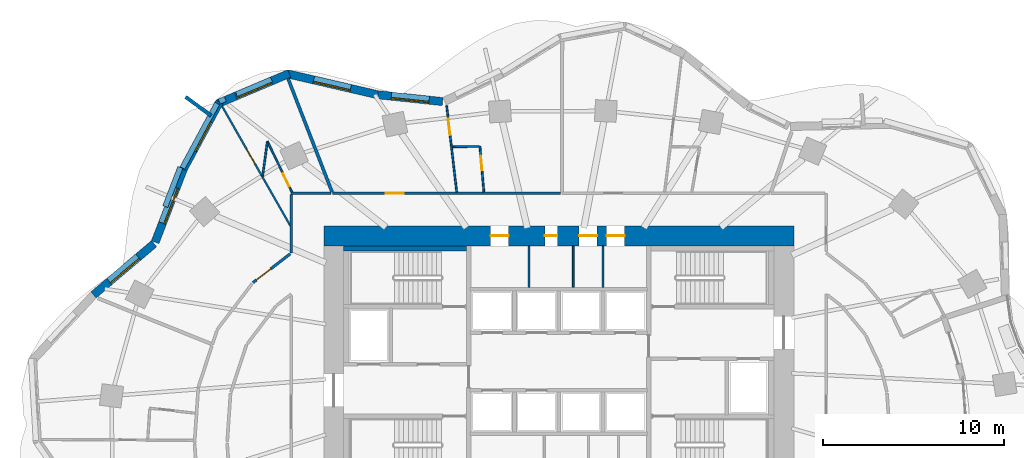
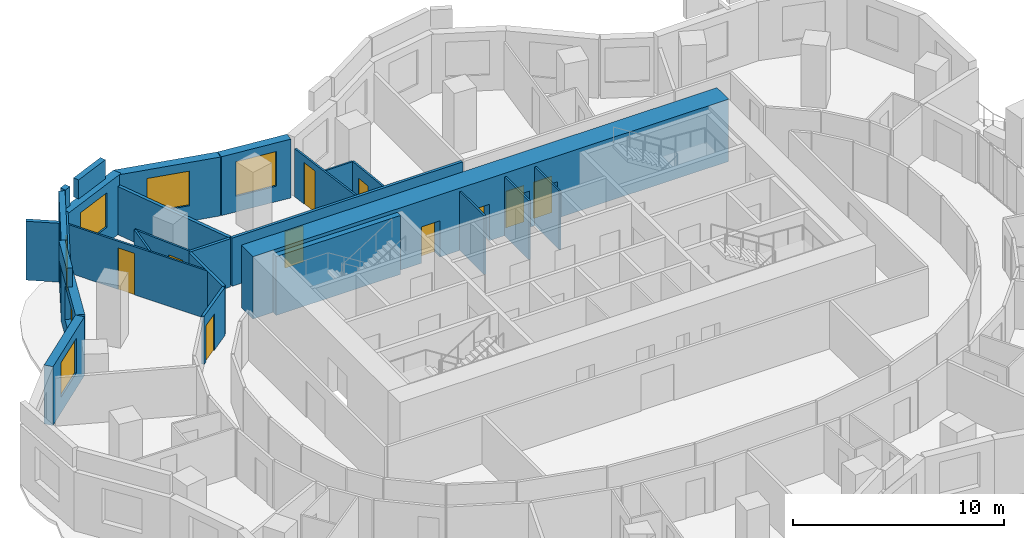
# One storey, part 9 of 13: 27 walls, 10 doors, 6 windows, 16 openings.
"""IFC4 building model written with IfcOpenShell, lengths in metres."""

from ifc_helpers import new_model, si_unit, direction, frame, frame_2d, origin, place, context, subcontext, project, spatial, rectangle, extrude, material, layer, layer_set, type_object, element, fill, save


model = new_model("IFC4")

# Units and contexts
model_context = context("Model", 3, precision=1e-05, world=origin(), true_north=direction((0.0, 1.0)))
body_context = subcontext(model_context, "Body", "Model", "MODEL_VIEW")
ifc_project = project(units=[si_unit("LENGTHUNIT", "METRE"), si_unit("AREAUNIT", "SQUARE_METRE"), si_unit("VOLUMEUNIT", "CUBIC_METRE"), si_unit("PLANEANGLEUNIT", "RADIAN"), si_unit("MASSUNIT", "GRAM", prefix="KILO")], contexts=[model_context])

# Site, building, storey
site_placement = place(None, origin())
site = spatial("IfcSite", under=ifc_project, at=site_placement, CompositionType="ELEMENT")
building_placement = place(site_placement, origin())
building = spatial("IfcBuilding", under=site, at=building_placement, Name="Rubra Terraces Tower", CompositionType="ELEMENT")
storey_placement = place(building_placement, frame((0.0, 0.0, 85.199951171875)))
storey = spatial("IfcBuildingStorey", under=building, at=storey_placement, Name="L19", CompositionType="ELEMENT", Elevation=85.199951171875)

# Wall
ifc_material_1 = material(Name="Twin plasterboard on staggered steel stud, acoustic mineral wool", Category="steel")
ifc_layer_1 = layer(ifc_material_1, 0.175048828125)
ifc_layer_set_1 = layer_set([ifc_layer_1], Name="Twin plasterboard on staggered steel stud, acoustic mineral wool")
wall_type_1 = type_object("IfcWallType", Name="ACOUSTIC PARTY WALL 175", PredefinedType="PARTITIONING", material=ifc_layer_set_1)
wall_1_placement = place(storey_placement, frame((-14.975830078125, 20.15283203125, 0.0), z_axis=(0.0, 0.0, 1.0), x_axis=(0.361720652029, -0.932286527788, 0.0)))
element("IfcWall", 1, at=wall_1_placement, inside=storey, type_object=wall_type_1, Name="PARTITION", PredefinedType="PARTITIONING", context=body_context, shape_type="SweptSolid", body=[
    extrude(rectangle(XDim=6.7392578125, YDim=0.175048828125, at=frame_2d((3.36962890625, 0.0))), origin(), (0.0, 0.0, 1.0), 2.783935546875),
])

# Wall, opening, window
ifc_material_2 = material(Name="Brick masonry red-brown", Category="masonry")
ifc_layer_2 = layer(ifc_material_2, 0.449951171875)
ifc_layer_set_2 = layer_set([ifc_layer_2], Name="Brick masonry red-brown")
wall_type_2 = type_object("IfcWallType", Name="Brick facade wall 450", PredefinedType="SOLIDWALL", material=ifc_layer_set_2)
wall_2_placement = place(storey_placement, frame((-6.4267578125, 18.875244140625, 0.0), z_axis=(0.0, 0.0, 1.0), x_axis=(-0.994433468803, 0.10536638992, 0.0)))
wall_2 = element("IfcWall", 2, at=wall_2_placement, inside=storey, type_object=wall_type_2, Name="Facade wall L19 bay 13", PredefinedType="SOLIDWALL", context=body_context, shape_type="SweptSolid", body=[
    extrude(rectangle(XDim=3.598388671875, YDim=0.449951171875, at=frame_2d((1.79931640625, 0.0))), origin(), (0.0, 0.0, 1.0), 3.400146484375),
])
opening_1_placement = place(wall_2_placement, frame((0.749267578125, 0.0, 0.89990234375)))
opening_1 = element("IfcOpeningElement", 3, at=opening_1_placement, cuts=wall_2, Name="Opening W1", PredefinedType="OPENING", context=body_context, shape_type="SweptSolid", body=[
    extrude(rectangle(XDim=2.10009765625, YDim=2.0, at=frame_2d((1.050048828125, 1.0))), frame((0.0, 0.23486328125, 0.0), z_axis=(0.0, -1.0, 0.0), x_axis=(1.0, 0.0, 0.0)), (0.0, 0.0, 1.0), 0.469970703125),
])
ifc_material_3 = material(Name="Clear glass in aluminium frame", Category="aluminium")
window_type_1 = type_object("IfcWindowType", Name="Fixed deep-set window 2100 x 2000", PartitioningType="SINGLE_PANEL", PredefinedType="WINDOW", material=ifc_material_3)
window_1_placement = place(opening_1_placement, origin())
window_1 = element("IfcWindow", 4, at=window_1_placement, inside=storey, type_object=window_type_1, Name="Window L19 bay 13", OverallHeight=2.0, OverallWidth=2.10009765625, PartitioningType="SINGLE_PANEL", PredefinedType="WINDOW", context=body_context, shape_type="SweptSolid", body=[
    extrude(rectangle(XDim=2.10009765625, YDim=2.0, at=frame_2d((1.050048828125, 1.0))), frame((0.0, 0.135009765625, 0.0), z_axis=(0.0, -1.0, 0.0), x_axis=(1.0, 0.0, 0.0)), (0.0, 0.0, 1.0), 0.06005859375),
])
fill(opening_1, window_1)

wall_3_placement = place(storey_placement, frame((-10.0341796875, 19.258544921875, 0.0), z_axis=(0.0, 0.0, 1.0), x_axis=(-0.974223567844, 0.225584662283, 0.0)))
wall_3 = element("IfcWall", 5, at=wall_3_placement, inside=storey, type_object=wall_type_2, Name="Facade wall L19 bay 14", PredefinedType="SOLIDWALL", context=body_context, shape_type="SweptSolid", body=[
    extrude(rectangle(XDim=5.138671875, YDim=0.449951171875, at=frame_2d((2.5693359375, 0.0))), origin(), (0.0, 0.0, 1.0), 3.400146484375),
])
opening_2_placement = place(wall_3_placement, frame((1.51904296875, 0.0, 0.89990234375)))
opening_2 = element("IfcOpeningElement", 6, at=opening_2_placement, cuts=wall_3, Name="Opening W1", PredefinedType="OPENING", context=body_context, shape_type="SweptSolid", body=[
    extrude(rectangle(XDim=2.10009765625, YDim=2.0, at=frame_2d((1.050048828125, 1.0))), frame((0.0, 0.23486328125, 0.0), z_axis=(0.0, -1.0, 0.0), x_axis=(1.0, 0.0, 0.0)), (0.0, 0.0, 1.0), 0.469970703125),
])
window_2_placement = place(opening_2_placement, origin())
window_2 = element("IfcWindow", 7, at=window_2_placement, inside=storey, type_object=window_type_1, Name="Window L19 bay 14", OverallHeight=2.0, OverallWidth=2.10009765625, PartitioningType="SINGLE_PANEL", PredefinedType="WINDOW", context=body_context, shape_type="SweptSolid", body=[
    extrude(rectangle(XDim=2.10009765625, YDim=2.0, at=frame_2d((1.050048828125, 1.0))), frame((0.0, 0.135009765625, 0.0), z_axis=(0.0, -1.0, 0.0), x_axis=(1.0, 0.0, 0.0)), (0.0, 0.0, 1.0), 0.06005859375),
])
fill(opening_2, window_2)

wall_4_placement = place(storey_placement, frame((-14.906494140625, 20.4306640625, 0.0), z_axis=(0.0, 0.0, 1.0), x_axis=(-0.921435803521, -0.388530642279, 0.0)))
wall_4 = element("IfcWall", 8, at=wall_4_placement, inside=storey, type_object=wall_type_2, Name="Facade wall L19 bay 15", PredefinedType="SOLIDWALL", context=body_context, shape_type="SweptSolid", body=[
    extrude(rectangle(XDim=4.308837890625, YDim=0.449951171875, at=frame_2d((2.154296875, 0.0))), origin(), (0.0, 0.0, 1.0), 3.400146484375),
])
opening_3_placement = place(wall_4_placement, frame((1.104248046875, 0.0, 0.89990234375)))
opening_3 = element("IfcOpeningElement", 9, at=opening_3_placement, cuts=wall_4, Name="Opening W1", PredefinedType="OPENING", context=body_context, shape_type="SweptSolid", body=[
    extrude(rectangle(XDim=2.10009765625, YDim=2.0, at=frame_2d((1.050048828125, 1.0))), frame((0.0, 0.23486328125, 0.0), z_axis=(0.0, -1.0, 0.0), x_axis=(1.0, 0.0, 0.0)), (0.0, 0.0, 1.0), 0.469970703125),
])
window_3_placement = place(opening_3_placement, origin())
window_3 = element("IfcWindow", 10, at=window_3_placement, inside=storey, type_object=window_type_1, Name="Window L19 bay 15", OverallHeight=2.0, OverallWidth=2.10009765625, PartitioningType="SINGLE_PANEL", PredefinedType="WINDOW", context=body_context, shape_type="SweptSolid", body=[
    extrude(rectangle(XDim=2.10009765625, YDim=2.0, at=frame_2d((1.050048828125, 1.0))), frame((0.0, 0.135009765625, 0.0), z_axis=(0.0, -1.0, 0.0), x_axis=(1.0, 0.0, 0.0)), (0.0, 0.0, 1.0), 0.06005859375),
])
fill(opening_3, window_3)

wall_5_placement = place(storey_placement, frame((-18.767333984375, 18.8544921875, 0.0), z_axis=(0.0, 0.0, 1.0), x_axis=(-0.474475888716, -0.880268499395, 0.0)))
wall_5 = element("IfcWall", 11, at=wall_5_placement, inside=storey, type_object=wall_type_2, Name="Facade wall L19 bay 16", PredefinedType="SOLIDWALL", context=body_context, shape_type="SweptSolid", body=[
    extrude(rectangle(XDim=4.21923828125, YDim=0.449951171875, at=frame_2d((2.109619140625, 0.0))), origin(), (0.0, 0.0, 1.0), 3.400146484375),
])
opening_4_placement = place(wall_5_placement, frame((1.209716796875, 0.0, 0.89990234375)))
opening_4 = element("IfcOpeningElement", 12, at=opening_4_placement, cuts=wall_5, Name="Opening W6", PredefinedType="OPENING", context=body_context, shape_type="SweptSolid", body=[
    extrude(rectangle(XDim=1.800048828125, YDim=2.0, at=frame_2d((0.89990234375, 1.0))), frame((0.0, 0.23486328125, 0.0), z_axis=(0.0, -1.0, 0.0), x_axis=(1.0, 0.0, 0.0)), (0.0, 0.0, 1.0), 0.469970703125),
])
window_type_2 = type_object("IfcWindowType", Name="Fixed deep-set window at wind fin 1800 x 2000", PartitioningType="SINGLE_PANEL", PredefinedType="WINDOW", material=ifc_material_3)
window_4_placement = place(opening_4_placement, origin())
window_4 = element("IfcWindow", 13, at=window_4_placement, inside=storey, type_object=window_type_2, Name="Window L19 bay 16", OverallHeight=2.0, OverallWidth=1.800048828125, PartitioningType="SINGLE_PANEL", PredefinedType="WINDOW", context=body_context, shape_type="SweptSolid", body=[
    extrude(rectangle(XDim=1.800048828125, YDim=2.0, at=frame_2d((0.89990234375, 1.0))), frame((0.0, 0.135009765625, 0.0), z_axis=(0.0, -1.0, 0.0), x_axis=(1.0, 0.0, 0.0)), (0.0, 0.0, 1.0), 0.06005859375),
])
fill(opening_4, window_4)

wall_6_placement = place(storey_placement, frame((-20.757080078125, 15.166015625, 0.0), z_axis=(0.0, 0.0, 1.0), x_axis=(-0.360067043581, -0.932926430179, 0.0)))
wall_6 = element("IfcWall", 14, at=wall_6_placement, inside=storey, type_object=wall_type_2, Name="Facade wall L19 bay 17", PredefinedType="SOLIDWALL", context=body_context, shape_type="SweptSolid", body=[
    extrude(rectangle(XDim=4.35986328125, YDim=0.449951171875, at=frame_2d((2.179931640625, 0.0))), origin(), (0.0, 0.0, 1.0), 3.400146484375),
])
opening_5_placement = place(wall_6_placement, frame((1.1298828125, 0.0, 0.89990234375)))
opening_5 = element("IfcOpeningElement", 15, at=opening_5_placement, cuts=wall_6, Name="Opening W1", PredefinedType="OPENING", context=body_context, shape_type="SweptSolid", body=[
    extrude(rectangle(XDim=2.10009765625, YDim=2.0, at=frame_2d((1.050048828125, 1.0))), frame((0.0, 0.23486328125, 0.0), z_axis=(0.0, -1.0, 0.0), x_axis=(1.0, 0.0, 0.0)), (0.0, 0.0, 1.0), 0.469970703125),
])
window_5_placement = place(opening_5_placement, origin())
window_5 = element("IfcWindow", 16, at=window_5_placement, inside=storey, type_object=window_type_1, Name="Window L19 bay 17", OverallHeight=2.0, OverallWidth=2.10009765625, PartitioningType="SINGLE_PANEL", PredefinedType="WINDOW", context=body_context, shape_type="SweptSolid", body=[
    extrude(rectangle(XDim=2.10009765625, YDim=2.0, at=frame_2d((1.050048828125, 1.0))), frame((0.0, 0.135009765625, 0.0), z_axis=(0.0, -1.0, 0.0), x_axis=(1.0, 0.0, 0.0)), (0.0, 0.0, 1.0), 0.06005859375),
])
fill(opening_5, window_5)

wall_7_placement = place(storey_placement, frame((-22.385986328125, 11.014404296875, 0.0), z_axis=(0.0, 0.0, 1.0), x_axis=(-0.763569952162, -0.645725118108, 0.0)))
wall_7 = element("IfcWall", 17, at=wall_7_placement, inside=storey, type_object=wall_type_2, Name="Facade wall L19 bay 18", PredefinedType="SOLIDWALL", context=body_context, shape_type="SweptSolid", body=[
    extrude(rectangle(XDim=4.3857421875, YDim=0.449951171875, at=frame_2d((2.19287109375, 0.0))), origin(), (0.0, 0.0, 1.0), 3.400146484375),
])
opening_6_placement = place(wall_7_placement, frame((1.14306640625, 0.0, 0.89990234375)))
opening_6 = element("IfcOpeningElement", 18, at=opening_6_placement, cuts=wall_7, Name="Opening W1", PredefinedType="OPENING", context=body_context, shape_type="SweptSolid", body=[
    extrude(rectangle(XDim=2.10009765625, YDim=2.0, at=frame_2d((1.050048828125, 1.0))), frame((0.0, 0.23486328125, 0.0), z_axis=(0.0, -1.0, 0.0), x_axis=(1.0, 0.0, 0.0)), (0.0, 0.0, 1.0), 0.469970703125),
])
window_6_placement = place(opening_6_placement, origin())
window_6 = element("IfcWindow", 19, at=window_6_placement, inside=storey, type_object=window_type_1, Name="Window L19 bay 18", OverallHeight=2.0, OverallWidth=2.10009765625, PartitioningType="SINGLE_PANEL", PredefinedType="WINDOW", context=body_context, shape_type="SweptSolid", body=[
    extrude(rectangle(XDim=2.10009765625, YDim=2.0, at=frame_2d((1.050048828125, 1.0))), frame((0.0, 0.135009765625, 0.0), z_axis=(0.0, -1.0, 0.0), x_axis=(1.0, 0.0, 0.0)), (0.0, 0.0, 1.0), 0.06005859375),
])
fill(opening_6, window_6)

# Walls
ifc_layer_3 = layer(ifc_material_2, 0.300048828125)
ifc_layer_set_3 = layer_set([ifc_layer_3], Name="Brick masonry red-brown")
wall_type_3 = type_object("IfcWallType", Name="Brick parapet 300", PredefinedType="PARAPET", material=ifc_layer_set_3)
wall_8_placement = place(storey_placement, frame((-15.890869140625, 20.096923828125, 3.60009765625), z_axis=(0.0, 0.0, 1.0), x_axis=(-0.921468908678, -0.388452121038, 0.0)))
element("IfcWall", 20, at=wall_8_placement, inside=storey, type_object=wall_type_3, Name="Parapet L19 bay 15", PredefinedType="PARAPET", context=body_context, shape_type="SweptSolid", body=[
    extrude(rectangle(XDim=2.09912109375, YDim=0.300048828125, at=frame_2d((1.049560546875, 0.0))), origin(), (0.0, 0.0, 1.0), 1.099853515625),
])
wall_9_placement = place(storey_placement, frame((-18.4462890625, 19.01953125, 3.60009765625), z_axis=(0.0, 0.0, 1.0), x_axis=(-0.921356634102, -0.388718346358, 0.0)))
element("IfcWall", 21, at=wall_9_placement, inside=storey, type_object=wall_type_3, Name="Parapet L19 bay 15.2", PredefinedType="PARAPET", context=body_context, shape_type="SweptSolid", body=[
    extrude(rectangle(XDim=0.363037109375, YDim=0.300048828125, at=frame_2d((0.181640625, 0.0))), origin(), (0.0, 0.0, 1.0), 1.099853515625),
])
wall_10_placement = place(storey_placement, frame((-18.896484375, 18.7734375, 3.60009765625), z_axis=(0.0, 0.0, 1.0), x_axis=(-0.474444905835, -0.880285198857, 0.0)))
element("IfcWall", 22, at=wall_10_placement, inside=storey, type_object=wall_type_3, Name="Parapet L19 bay 16", PredefinedType="PARAPET", context=body_context, shape_type="SweptSolid", body=[
    extrude(rectangle(XDim=4.0498046875, YDim=0.300048828125, at=frame_2d((2.02490234375, 0.0))), origin(), (0.0, 0.0, 1.0), 1.099853515625),
])
wall_11_placement = place(storey_placement, frame((-20.932861328125, 15.236572265625, 3.60009765625), z_axis=(0.0, 0.0, 1.0), x_axis=(-0.360021038217, -0.932944184848, 0.0)))
element("IfcWall", 23, at=wall_11_placement, inside=storey, type_object=wall_type_3, Name="Parapet L19 bay 17", PredefinedType="PARAPET", context=body_context, shape_type="SweptSolid", body=[
    extrude(rectangle(XDim=2.3232421875, YDim=0.300048828125, at=frame_2d((1.16162109375, 0.0))), origin(), (0.0, 0.0, 1.0), 1.099853515625),
])
ifc_layer_4 = layer(ifc_material_2, 0.199951171875)
ifc_layer_set_4 = layer_set([ifc_layer_4], Name="Brick masonry red-brown")
wall_type_4 = type_object("IfcWallType", Name="Brick wind fin 200", PredefinedType="SOLIDWALL", material=ifc_layer_set_4)
wall_12_placement = place(storey_placement, frame((-19.23095703125, 18.09912109375, 0.0), z_axis=(0.0, 0.0, 1.0), x_axis=(-0.806085538754, 0.591799040394, 0.0)))
element("IfcWall", 24, at=wall_12_placement, inside=storey, type_object=wall_type_4, Name="Wind fin L19 10", PredefinedType="SOLIDWALL", context=body_context, shape_type="SweptSolid", body=[
    extrude(rectangle(XDim=1.75, YDim=0.199951171875, at=frame_2d((0.875, 0.0))), origin(), (0.0, 0.0, 1.0), 3.400146484375),
])

# Wall, openings, doors
ifc_material_4 = material(Name="Concrete C60", Category="concrete")
ifc_layer_5 = layer(ifc_material_4, 1.10009765625)
ifc_layer_set_5 = layer_set([ifc_layer_5], Name="Concrete C60")
wall_type_5 = type_object("IfcWallType", Name="CORE WALL 1100 C60", PredefinedType="SHEAR", material=ifc_layer_set_5)
wall_13_placement = place(storey_placement, frame((-13.0, 11.449951171875, 0.0), z_axis=(0.0, 0.0, 1.0), x_axis=(1.0, 0.0, 0.0)))
wall_13 = element("IfcWall", 25, at=wall_13_placement, inside=storey, type_object=wall_type_5, Name="CORE WALL N L19", PredefinedType="SHEAR", context=body_context, shape_type="SweptSolid", body=[
    extrude(rectangle(XDim=26.0, YDim=1.10009765625, at=frame_2d((13.0, 0.0))), origin(), (0.0, 0.0, 1.0), 3.60009765625),
])
opening_7_placement = place(wall_13_placement, frame((9.22509765625, 0.0, 0.0)))
opening_7 = element("IfcOpeningElement", 26, at=opening_7_placement, cuts=wall_13, Name="Opening L19.C23", PredefinedType="OPENING", context=body_context, shape_type="SweptSolid", body=[
    extrude(rectangle(XDim=1.0, YDim=2.10009765625, at=frame_2d((0.5, 1.050048828125))), frame((0.0, 0.56005859375, 0.0), z_axis=(0.0, -1.0, 0.0), x_axis=(1.0, 0.0, 0.0)), (0.0, 0.0, 1.0), 1.1201171875),
])
opening_8_placement = place(wall_13_placement, frame((12.22509765625, 0.0, 0.0)))
opening_8 = element("IfcOpeningElement", 27, at=opening_8_placement, cuts=wall_13, Name="Opening L19.C24", PredefinedType="OPENING", context=body_context, shape_type="SweptSolid", body=[
    extrude(rectangle(XDim=0.699951171875, YDim=2.10009765625, at=frame_2d((0.35009765625, 1.050048828125))), frame((0.0, 0.56005859375, 0.0), z_axis=(0.0, -1.0, 0.0), x_axis=(1.0, 0.0, 0.0)), (0.0, 0.0, 1.0), 1.1201171875),
])
opening_9_placement = place(wall_13_placement, frame((14.125, 0.0, 0.0)))
opening_9 = element("IfcOpeningElement", 28, at=opening_9_placement, cuts=wall_13, Name="Opening L19.C25", PredefinedType="OPENING", context=body_context, shape_type="SweptSolid", body=[
    extrude(rectangle(XDim=1.0, YDim=2.10009765625, at=frame_2d((0.5, 1.050048828125))), frame((0.0, 0.56005859375, 0.0), z_axis=(0.0, -1.0, 0.0), x_axis=(1.0, 0.0, 0.0)), (0.0, 0.0, 1.0), 1.1201171875),
])
opening_10_placement = place(wall_13_placement, frame((15.64990234375, 0.0, 0.0)))
opening_10 = element("IfcOpeningElement", 29, at=opening_10_placement, cuts=wall_13, Name="Opening L19.C26", PredefinedType="OPENING", context=body_context, shape_type="SweptSolid", body=[
    extrude(rectangle(XDim=1.0, YDim=2.10009765625, at=frame_2d((0.5, 1.050048828125))), frame((0.0, 0.56005859375, 0.0), z_axis=(0.0, -1.0, 0.0), x_axis=(1.0, 0.0, 0.0)), (0.0, 0.0, 1.0), 1.1201171875),
])
ifc_material_5 = material(Name="Painted steel", Category="steel")
door_type_1 = type_object("IfcDoorType", Name="Fire door 1000x2100 single", OperationType="NOTDEFINED", PredefinedType="DOOR", material=ifc_material_5)
door_1_placement = place(opening_7_placement, origin())
door_1 = element("IfcDoor", 30, at=door_1_placement, inside=storey, type_object=door_type_1, Name="Ice and vending room door", OperationType="SINGLE_SWING_LEFT", OverallHeight=2.10009765625, OverallWidth=1.0, PredefinedType="DOOR", context=body_context, shape_type="SweptSolid", body=[
    extrude(rectangle(XDim=1.0, YDim=2.10009765625, at=frame_2d((0.5, 1.050048828125))), frame((0.0, 0.02490234375, 0.0), z_axis=(0.0, -1.0, 0.0), x_axis=(1.0, 0.0, 0.0)), (0.0, 0.0, 1.0), 0.050048828125),
])
fill(opening_7, door_1)
door_2_placement = place(opening_9_placement, origin())
door_2 = element("IfcDoor", 31, at=door_2_placement, inside=storey, type_object=door_type_1, Name="Accessible WC door", OperationType="SINGLE_SWING_LEFT", OverallHeight=2.10009765625, OverallWidth=1.0, PredefinedType="DOOR", context=body_context, shape_type="SweptSolid", body=[
    extrude(rectangle(XDim=1.0, YDim=2.10009765625, at=frame_2d((0.5, 1.050048828125))), frame((0.0, 0.02490234375, 0.0), z_axis=(0.0, -1.0, 0.0), x_axis=(1.0, 0.0, 0.0)), (0.0, 0.0, 1.0), 0.050048828125),
])
fill(opening_9, door_2)
door_3_placement = place(opening_10_placement, origin())
door_3 = element("IfcDoor", 32, at=door_3_placement, inside=storey, type_object=door_type_1, Name="Refuse room door", OperationType="SINGLE_SWING_RIGHT", OverallHeight=2.10009765625, OverallWidth=1.0, PredefinedType="DOOR", context=body_context, shape_type="SweptSolid", body=[
    extrude(rectangle(XDim=1.0, YDim=2.10009765625, at=frame_2d((0.5, 1.050048828125))), frame((0.0, 0.02490234375, 0.0), z_axis=(0.0, -1.0, 0.0), x_axis=(1.0, 0.0, 0.0)), (0.0, 0.0, 1.0), 0.050048828125),
])
fill(opening_10, door_3)
door_type_2 = type_object("IfcDoorType", Name="Riser access door 700x2100 single", OperationType="NOTDEFINED", PredefinedType="DOOR", material=ifc_material_5)
door_4_placement = place(opening_8_placement, origin())
door_4 = element("IfcDoor", 33, at=door_4_placement, inside=storey, type_object=door_type_2, Name="Telecoms room door", OperationType="SINGLE_SWING_RIGHT", OverallHeight=2.10009765625, OverallWidth=0.699951171875, PredefinedType="DOOR", context=body_context, shape_type="SweptSolid", body=[
    extrude(rectangle(XDim=0.699951171875, YDim=2.10009765625, at=frame_2d((0.35009765625, 1.050048828125))), frame((0.0, 0.02490234375, 0.0), z_axis=(0.0, -1.0, 0.0), x_axis=(1.0, 0.0, 0.0)), (0.0, 0.0, 1.0), 0.050048828125),
])
fill(opening_8, door_4)

# Wall, opening, door
ifc_material_6 = material(Name="Plasterboard on steel stud, mineral wool infill", Category="steel")
ifc_layer_6 = layer(ifc_material_6, 0.14990234375)
ifc_layer_set_6 = layer_set([ifc_layer_6], Name="Plasterboard on steel stud, mineral wool infill")
wall_type_6 = type_object("IfcWallType", Name="CORRIDOR PARTITION 150", PredefinedType="PARTITIONING", material=ifc_layer_set_6)
wall_14_placement = place(storey_placement, frame((0.09765625, 13.800048828125, 0.0), z_axis=(0.0, 0.0, 1.0), x_axis=(-1.0, 0.0, 0.0)))
wall_14 = element("IfcWall", 34, at=wall_14_placement, inside=storey, type_object=wall_type_6, Name="PARTITION", PredefinedType="PARTITIONING", context=body_context, shape_type="SweptSolid", body=[
    extrude(rectangle(XDim=12.608642578125, YDim=0.14990234375, at=frame_2d((6.30419921875, 0.0))), origin(), (0.0, 0.0, 1.0), 2.783935546875),
])
opening_11_placement = place(wall_14_placement, frame((8.672119140625, 0.0, 0.0)))
opening_11 = element("IfcOpeningElement", 35, at=opening_11_placement, cuts=wall_14, Name="Opening 19-108", PredefinedType="OPENING", context=body_context, shape_type="SweptSolid", body=[
    extrude(rectangle(XDim=1.0, YDim=2.10009765625, at=frame_2d((0.5, 1.050048828125))), frame((0.0, 0.0849609375, 0.0), z_axis=(0.0, -1.0, 0.0), x_axis=(1.0, 0.0, 0.0)), (0.0, 0.0, 1.0), 0.169921875),
])
ifc_material_7 = material(Name="Painted timber door leaf", Category="wood")
door_type_3 = type_object("IfcDoorType", Name="ROOM DOOR 1000 X 2100", OperationType="SINGLE_SWING_LEFT", PredefinedType="DOOR", material=ifc_material_7)
door_5_placement = place(opening_11_placement, origin())
door_5 = element("IfcDoor", 36, at=door_5_placement, inside=storey, type_object=door_type_3, Name="DOOR 19-108", OperationType="SINGLE_SWING_RIGHT", OverallHeight=2.10009765625, OverallWidth=1.0, PredefinedType="DOOR", context=body_context, shape_type="SweptSolid", body=[
    extrude(rectangle(XDim=1.0, YDim=2.10009765625, at=frame_2d((0.5, 1.050048828125))), frame((0.0, 0.02490234375, 0.0), z_axis=(0.0, -1.0, 0.0), x_axis=(1.0, 0.0, 0.0)), (0.0, 0.0, 1.0), 0.050048828125),
])
fill(opening_11, door_5)

# Walls
wall_15_placement = place(storey_placement, frame((-12.5859375, 13.800048828125, 0.0), z_axis=(0.0, 0.0, 1.0), x_axis=(-1.0, 0.0, 0.0)))
element("IfcWall", 37, at=wall_15_placement, inside=storey, type_object=wall_type_6, Name="PARTITION", PredefinedType="PARTITIONING", context=body_context, shape_type="SweptSolid", body=[
    extrude(rectangle(XDim=2.214111328125, YDim=0.14990234375, at=frame_2d((1.10693359375, 0.0))), origin(), (0.0, 0.0, 1.0), 2.783935546875),
])
wall_16_placement = place(storey_placement, frame((-14.800048828125, 13.72509765625, 0.0), z_axis=(0.0, 0.0, 1.0), x_axis=(0.0, -1.0, 0.0)))
element("IfcWall", 38, at=wall_16_placement, inside=storey, type_object=wall_type_6, Name="PARTITION", PredefinedType="PARTITIONING", context=body_context, shape_type="SweptSolid", body=[
    extrude(rectangle(XDim=3.228271484375, YDim=0.14990234375, at=frame_2d((1.6142578125, 0.0))), origin(), (0.0, 0.0, 1.0), 2.783935546875),
])

# Wall, opening, door
wall_17_placement = place(storey_placement, frame((-14.859619140625, 10.451171875, 0.0), z_axis=(0.0, 0.0, 1.0), x_axis=(-0.791542595332, -0.611113999001, 0.0)))
wall_17 = element("IfcWall", 39, at=wall_17_placement, inside=storey, type_object=wall_type_6, Name="PARTITION", PredefinedType="PARTITIONING", context=body_context, shape_type="SweptSolid", body=[
    extrude(rectangle(XDim=2.604736328125, YDim=0.14990234375, at=frame_2d((1.30224609375, 0.0))), origin(), (0.0, 0.0, 1.0), 2.783935546875),
])
opening_12_placement = place(wall_17_placement, frame((1.35009765625, 0.0, 0.0)))
opening_12 = element("IfcOpeningElement", 40, at=opening_12_placement, cuts=wall_17, Name="Opening 19-111", PredefinedType="OPENING", context=body_context, shape_type="SweptSolid", body=[
    extrude(rectangle(XDim=1.0, YDim=2.10009765625, at=frame_2d((0.5, 1.050048828125))), frame((0.0, 0.0849609375, 0.0), z_axis=(0.0, -1.0, 0.0), x_axis=(1.0, 0.0, 0.0)), (0.0, 0.0, 1.0), 0.169921875),
])
door_6_placement = place(opening_12_placement, origin())
door_6 = element("IfcDoor", 41, at=door_6_placement, inside=storey, type_object=door_type_3, Name="DOOR 19-111", OperationType="SINGLE_SWING_RIGHT", OverallHeight=2.10009765625, OverallWidth=1.0, PredefinedType="DOOR", context=body_context, shape_type="SweptSolid", body=[
    extrude(rectangle(XDim=1.0, YDim=2.10009765625, at=frame_2d((0.5, 1.050048828125))), frame((0.0, 0.02490234375, 0.0), z_axis=(0.0, -1.0, 0.0), x_axis=(1.0, 0.0, 0.0)), (0.0, 0.0, 1.0), 0.050048828125),
])
fill(opening_12, door_6)

# Wall
ifc_material_8 = material(Name="Concrete C40", Category="concrete")
ifc_layer_7 = layer(ifc_material_8, 0.300048828125)
ifc_layer_set_7 = layer_set([ifc_layer_7], Name="Concrete C40")
wall_type_7 = type_object("IfcWallType", Name="Core lining wall 300 concrete", PredefinedType="SOLIDWALL", material=ifc_layer_set_7)
wall_18_placement = place(storey_placement, frame((-11.89990234375, 10.75, 0.0), z_axis=(0.0, 0.0, 1.0), x_axis=(1.0, 0.0, 0.0)))
element("IfcWall", 42, at=wall_18_placement, inside=storey, type_object=wall_type_7, Name="CORE LINING WALL L19", PredefinedType="SOLIDWALL", context=body_context, shape_type="SweptSolid", body=[
    extrude(rectangle(XDim=6.7998046875, YDim=0.300048828125, at=frame_2d((3.39990234375, 0.0))), origin(), (0.0, 0.0, 1.0), 3.400146484375),
])

# Wall, opening, door
ifc_material_9 = material(Name="Plasterboard on steel stud", Category="steel")
ifc_layer_8 = layer(ifc_material_9, 0.10009765625)
ifc_layer_set_8 = layer_set([ifc_layer_8], Name="Plasterboard on steel stud")
wall_type_8 = type_object("IfcWallType", Name="ROOM PARTITION 100", PredefinedType="PARTITIONING", material=ifc_layer_set_8)
wall_19_placement = place(storey_placement, frame((-6.199462890625, 18.641845703125, 0.0), z_axis=(0.0, 0.0, 1.0), x_axis=(0.115421487153, -0.993316606276, 0.0)))
wall_19 = element("IfcWall", 43, at=wall_19_placement, inside=storey, type_object=wall_type_8, Name="PARTITION", PredefinedType="PARTITIONING", context=body_context, shape_type="SweptSolid", body=[
    extrude(rectangle(XDim=4.79931640625, YDim=0.10009765625, at=frame_2d((2.399658203125, 0.0))), origin(), (0.0, 0.0, 1.0), 2.783935546875),
])
opening_13_placement = place(wall_19_placement, frame((0.72412109375, 0.0, 0.0)))
opening_13 = element("IfcOpeningElement", 44, at=opening_13_placement, cuts=wall_19, Name="Opening 19-107", PredefinedType="OPENING", context=body_context, shape_type="SweptSolid", body=[
    extrude(rectangle(XDim=0.89990234375, YDim=2.39990234375, at=frame_2d((0.449951171875, 1.199951171875))), frame((0.0, 0.06005859375, 0.0), z_axis=(0.0, -1.0, 0.0), x_axis=(1.0, 0.0, 0.0)), (0.0, 0.0, 1.0), 0.1201171875),
])
ifc_material_10 = material(Name="Veneered timber door leaf, fire-rated", Category="wood")
door_type_4 = type_object("IfcDoorType", Name="SUITE ENTRANCE DOOR 900 X 2400", OperationType="SINGLE_SWING_LEFT", PredefinedType="DOOR", material=ifc_material_10)
door_7_placement = place(opening_13_placement, origin())
door_7 = element("IfcDoor", 45, at=door_7_placement, inside=storey, type_object=door_type_4, Name="DOOR 19-107", OperationType="SINGLE_SWING_LEFT", OverallHeight=2.39990234375, OverallWidth=0.89990234375, PredefinedType="DOOR", context=body_context, shape_type="SweptSolid", body=[
    extrude(rectangle(XDim=0.89990234375, YDim=2.39990234375, at=frame_2d((0.449951171875, 1.199951171875))), frame((0.0, 0.02490234375, 0.0), z_axis=(0.0, -1.0, 0.0), x_axis=(1.0, 0.0, 0.0)), (0.0, 0.0, 1.0), 0.050048828125),
])
fill(opening_13, door_7)

wall_20_placement = place(storey_placement, frame((-4.143310546875, 13.874755859375, 0.0), z_axis=(0.0, 0.0, 1.0), x_axis=(-0.085189957814, 0.996364727942, 0.0)))
wall_20 = element("IfcWall", 46, at=wall_20_placement, inside=storey, type_object=wall_type_8, Name="PARTITION", PredefinedType="PARTITIONING", context=body_context, shape_type="SweptSolid", body=[
    extrude(rectangle(XDim=2.52490234375, YDim=0.10009765625, at=frame_2d((1.262451171875, 0.0))), origin(), (0.0, 0.0, 1.0), 2.783935546875),
])
opening_14_placement = place(wall_20_placement, frame((1.199951171875, 0.0, 0.0)))
opening_14 = element("IfcOpeningElement", 47, at=opening_14_placement, cuts=wall_20, Name="Opening 19-106", PredefinedType="OPENING", context=body_context, shape_type="SweptSolid", body=[
    extrude(rectangle(XDim=0.800048828125, YDim=2.10009765625, at=frame_2d((0.39990234375, 1.050048828125))), frame((0.0, 0.06005859375, 0.0), z_axis=(0.0, -1.0, 0.0), x_axis=(1.0, 0.0, 0.0)), (0.0, 0.0, 1.0), 0.1201171875),
])
door_type_5 = type_object("IfcDoorType", Name="BATHROOM DOOR 800 X 2100", OperationType="SINGLE_SWING_LEFT", PredefinedType="DOOR", material=ifc_material_7)
door_8_placement = place(opening_14_placement, origin())
door_8 = element("IfcDoor", 48, at=door_8_placement, inside=storey, type_object=door_type_5, Name="DOOR 19-106", OperationType="SINGLE_SWING_LEFT", OverallHeight=2.10009765625, OverallWidth=0.800048828125, PredefinedType="DOOR", context=body_context, shape_type="SweptSolid", body=[
    extrude(rectangle(XDim=0.800048828125, YDim=2.10009765625, at=frame_2d((0.39990234375, 1.050048828125))), frame((0.0, 0.02490234375, 0.0), z_axis=(0.0, -1.0, 0.0), x_axis=(1.0, 0.0, 0.0)), (0.0, 0.0, 1.0), 0.050048828125),
])
fill(opening_14, door_8)

# Wall
wall_21_placement = place(storey_placement, frame((-4.408447265625, 16.39013671875, 0.0), z_axis=(0.0, 0.0, 1.0), x_axis=(-0.999987730333, -0.00495370408, 0.0)))
element("IfcWall", 49, at=wall_21_placement, inside=storey, type_object=wall_type_8, Name="PARTITION", PredefinedType="PARTITIONING", context=body_context, shape_type="SweptSolid", body=[
    extrude(rectangle(XDim=1.478515625, YDim=0.10009765625, at=frame_2d((0.7392578125, 0.0))), origin(), (0.0, 0.0, 1.0), 2.783935546875),
])

# Wall, opening, door
wall_22_placement = place(storey_placement, frame((-18.622314453125, 18.615478515625, 0.0), z_axis=(0.0, 0.0, 1.0), x_axis=(0.495932236656, -0.868361224748, 0.0)))
wall_22 = element("IfcWall", 50, at=wall_22_placement, inside=storey, type_object=wall_type_8, Name="PARTITION", PredefinedType="PARTITIONING", context=body_context, shape_type="SweptSolid", body=[
    extrude(rectangle(XDim=7.63232421875, YDim=0.10009765625, at=frame_2d((3.816162109375, 0.0))), origin(), (0.0, 0.0, 1.0), 2.783935546875),
])
opening_15_placement = place(wall_22_placement, frame((2.75, 0.0, 0.0)))
opening_15 = element("IfcOpeningElement", 51, at=opening_15_placement, cuts=wall_22, Name="Opening 19-110", PredefinedType="OPENING", context=body_context, shape_type="SweptSolid", body=[
    extrude(rectangle(XDim=0.89990234375, YDim=2.39990234375, at=frame_2d((0.449951171875, 1.199951171875))), frame((0.0, 0.06005859375, 0.0), z_axis=(0.0, -1.0, 0.0), x_axis=(1.0, 0.0, 0.0)), (0.0, 0.0, 1.0), 0.1201171875),
])
door_9_placement = place(opening_15_placement, origin())
door_9 = element("IfcDoor", 52, at=door_9_placement, inside=storey, type_object=door_type_4, Name="DOOR 19-110", OperationType="SINGLE_SWING_LEFT", OverallHeight=2.39990234375, OverallWidth=0.89990234375, PredefinedType="DOOR", context=body_context, shape_type="SweptSolid", body=[
    extrude(rectangle(XDim=0.89990234375, YDim=2.39990234375, at=frame_2d((0.449951171875, 1.199951171875))), frame((0.0, 0.02490234375, 0.0), z_axis=(0.0, -1.0, 0.0), x_axis=(1.0, 0.0, 0.0)), (0.0, 0.0, 1.0), 0.050048828125),
])
fill(opening_15, door_9)

wall_23_placement = place(storey_placement, frame((-14.760009765625, 13.86767578125, 0.0), z_axis=(0.0, 0.0, 1.0), x_axis=(-0.434322957958, 0.900757219338, 0.0)))
wall_23 = element("IfcWall", 53, at=wall_23_placement, inside=storey, type_object=wall_type_8, Name="PARTITION", PredefinedType="PARTITIONING", context=body_context, shape_type="SweptSolid", body=[
    extrude(rectangle(XDim=3.124755859375, YDim=0.10009765625, at=frame_2d((1.5625, 0.0))), origin(), (0.0, 0.0, 1.0), 2.783935546875),
])
opening_16_placement = place(wall_23_placement, frame((0.35009765625, 0.0, 0.0)))
opening_16 = element("IfcOpeningElement", 54, at=opening_16_placement, cuts=wall_23, Name="Opening 19-109", PredefinedType="OPENING", context=body_context, shape_type="SweptSolid", body=[
    extrude(rectangle(XDim=0.800048828125, YDim=2.10009765625, at=frame_2d((0.39990234375, 1.050048828125))), frame((0.0, 0.06005859375, 0.0), z_axis=(0.0, -1.0, 0.0), x_axis=(1.0, 0.0, 0.0)), (0.0, 0.0, 1.0), 0.1201171875),
])
door_10_placement = place(opening_16_placement, origin())
door_10 = element("IfcDoor", 55, at=door_10_placement, inside=storey, type_object=door_type_5, Name="DOOR 19-109", OperationType="SINGLE_SWING_LEFT", OverallHeight=2.10009765625, OverallWidth=0.800048828125, PredefinedType="DOOR", context=body_context, shape_type="SweptSolid", body=[
    extrude(rectangle(XDim=0.800048828125, YDim=2.10009765625, at=frame_2d((0.39990234375, 1.050048828125))), frame((0.0, 0.02490234375, 0.0), z_axis=(0.0, -1.0, 0.0), x_axis=(1.0, 0.0, 0.0)), (0.0, 0.0, 1.0), 0.050048828125),
])
fill(opening_16, door_10)

# Walls
wall_24_placement = place(storey_placement, frame((-16.123779296875, 16.6328125, 0.0), z_axis=(0.0, 0.0, 1.0), x_axis=(-0.134975529172, -0.990848932242, 0.0)))
element("IfcWall", 56, at=wall_24_placement, inside=storey, type_object=wall_type_8, Name="PARTITION", PredefinedType="PARTITIONING", context=body_context, shape_type="SweptSolid", body=[
    extrude(rectangle(XDim=1.899169921875, YDim=0.10009765625, at=frame_2d((0.94970703125, 0.0))), origin(), (0.0, 0.0, 1.0), 2.783935546875),
])
ifc_material_11 = material(Name="Blockwork", Category="masonry")
ifc_layer_9 = layer(ifc_material_11, 0.10009765625)
ifc_layer_set_9 = layer_set([ifc_layer_9], Name="Blockwork")
wall_type_9 = type_object("IfcWallType", Name="Service partition 100 blockwork", PredefinedType="PARTITIONING", material=ifc_layer_set_9)
for number, where, z_axis, x_axis, name in (
    (57, (-1.64990234375, 8.60009765625, 0.0), (0.0, 0.0, 1.0), (0.0, 1.0, 0.0), "SERVICE ROOM PARTITION L19"),
    (58, (0.800048828125, 8.60009765625, 0.0), (0.0, 0.0, 1.0), (0.0, 1.0, 0.0), "SERVICE ROOM PARTITION L19"),
    (59, (2.449951171875, 8.60009765625, 0.0), (0.0, 0.0, 1.0), (0.0, 1.0, 0.0), "SERVICE ROOM PARTITION L19"),
):
    element("IfcWall", number, at=place(storey_placement, frame(where, z_axis=z_axis, x_axis=x_axis)), inside=storey, type_object=wall_type_9, Name=name, PredefinedType="PARTITIONING", context=body_context, shape_type="SweptSolid", body=[
        extrude(rectangle(XDim=2.2998046875, YDim=0.10009765625, at=frame_2d((1.14990234375, 0.0))), origin(), (0.0, 0.0, 1.0), 3.400146484375),
    ])

save(model, "model.ifc")
